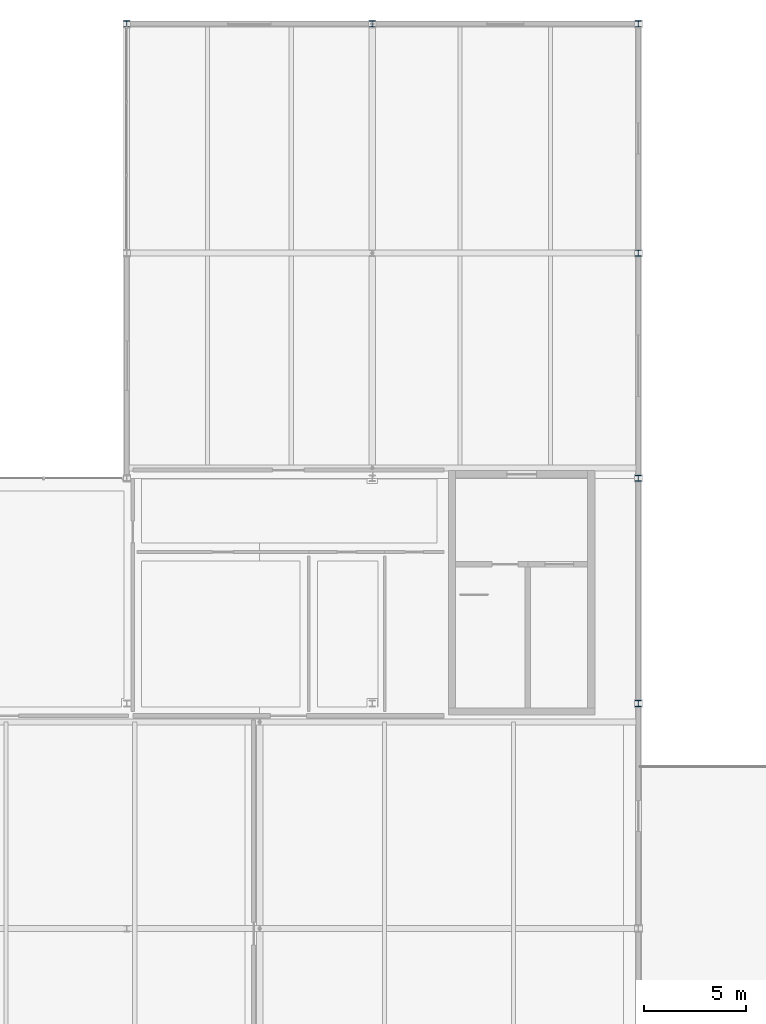
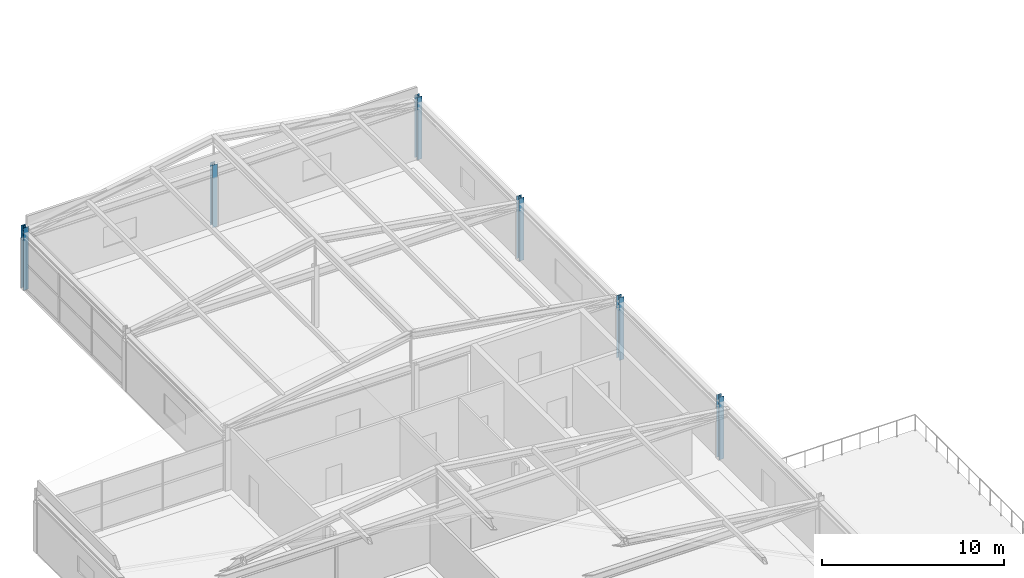
# One storey, part 6 of 63: 6 columns.
"""IFC4 building model written with IfcOpenShell, lengths in metres."""

from ifc_helpers import new_model, si_unit, direction, frame, origin, origin_2d, place, context, subcontext, project, spatial, i_section, extrude, material, material_profile, profile_set, type_object, element, save


model = new_model("IFC4")

# Units and contexts
model_context = context("Model", 3, precision=1e-05, world=origin(), true_north=direction((0.0, 1.0)))
body_context = subcontext(model_context, "Body", "Model", "MODEL_VIEW")
ifc_project = project(units=[si_unit("LENGTHUNIT", "METRE"), si_unit("AREAUNIT", "SQUARE_METRE"), si_unit("VOLUMEUNIT", "CUBIC_METRE"), si_unit("PLANEANGLEUNIT", "RADIAN"), si_unit("MASSUNIT", "GRAM", prefix="KILO")], contexts=[model_context])

# Site, building, storey
site_placement = place(None, origin())
site = spatial("IfcSite", under=ifc_project, at=site_placement, CompositionType="ELEMENT")
building_placement = place(site_placement, origin())
building = spatial("IfcBuilding", under=site, at=building_placement, Name="Tarnveldt Headland Concert Hall", CompositionType="ELEMENT")
storey_placement = place(building_placement, frame((0.0, 0.0, 14.39990234375)))
storey = spatial("IfcBuildingStorey", under=building, at=storey_placement, Name="L03", CompositionType="ELEMENT", Elevation=14.39990234375)

# Columns
ifc_material = material(Name="Steel S355", Category="steel")
ifc_material_profile = material_profile(ifc_material, i_section(OverallWidth=0.300048828125, OverallDepth=0.300048828125, WebThickness=0.010986328125, FlangeThickness=0.01904296875, FilletRadius=0.027099609375, at=origin_2d()), Name="HEB300", Category="steel")
ifc_profile_set = profile_set([ifc_material_profile], Name="Steel S355")
column_type = type_object("IfcColumnType", Name="SC-HEB300", PredefinedType="COLUMN", material=ifc_profile_set)
for number, where, z_axis, x_axis, name in (
    (1, (19.5, 115.199951171875, 0.0), (0.0, 0.0, 1.0), (1.0, 0.0, 0.0), "Column V5C10 L03"),
    (2, (31.5, 115.199951171875, 0.0), (0.0, 0.0, 1.0), (1.0, 0.0, 0.0), "Column V5C15 L03"),
    (3, (44.5, 82.0, 0.0), (0.0, 0.0, 1.0), (1.0, 0.0, 0.0), "Column V5C18 L03"),
    (4, (44.5, 93.0, 0.0), (0.0, 0.0, 1.0), (1.0, 0.0, 0.0), "Column V5C19 L03"),
    (5, (44.5, 104.0, 0.0), (0.0, 0.0, 1.0), (1.0, 0.0, 0.0), "Column V5C20 L03"),
    (6, (44.5, 115.199951171875, 0.0), (0.0, 0.0, 1.0), (1.0, 0.0, 0.0), "Column V5C21 L03"),
):
    element("IfcColumn", number, at=place(storey_placement, frame(where, z_axis=z_axis, x_axis=x_axis)), inside=storey, type_object=column_type, Name=name, PredefinedType="COLUMN", context=body_context, shape_type="SweptSolid", body=[
        extrude(i_section(OverallWidth=0.300048828125, OverallDepth=0.300048828125, WebThickness=0.010986328125, FlangeThickness=0.01904296875, FilletRadius=0.027099609375, at=origin_2d()), origin(), (0.0, 0.0, 1.0), 4.2001953125),
    ])

save(model, "model.ifc")
